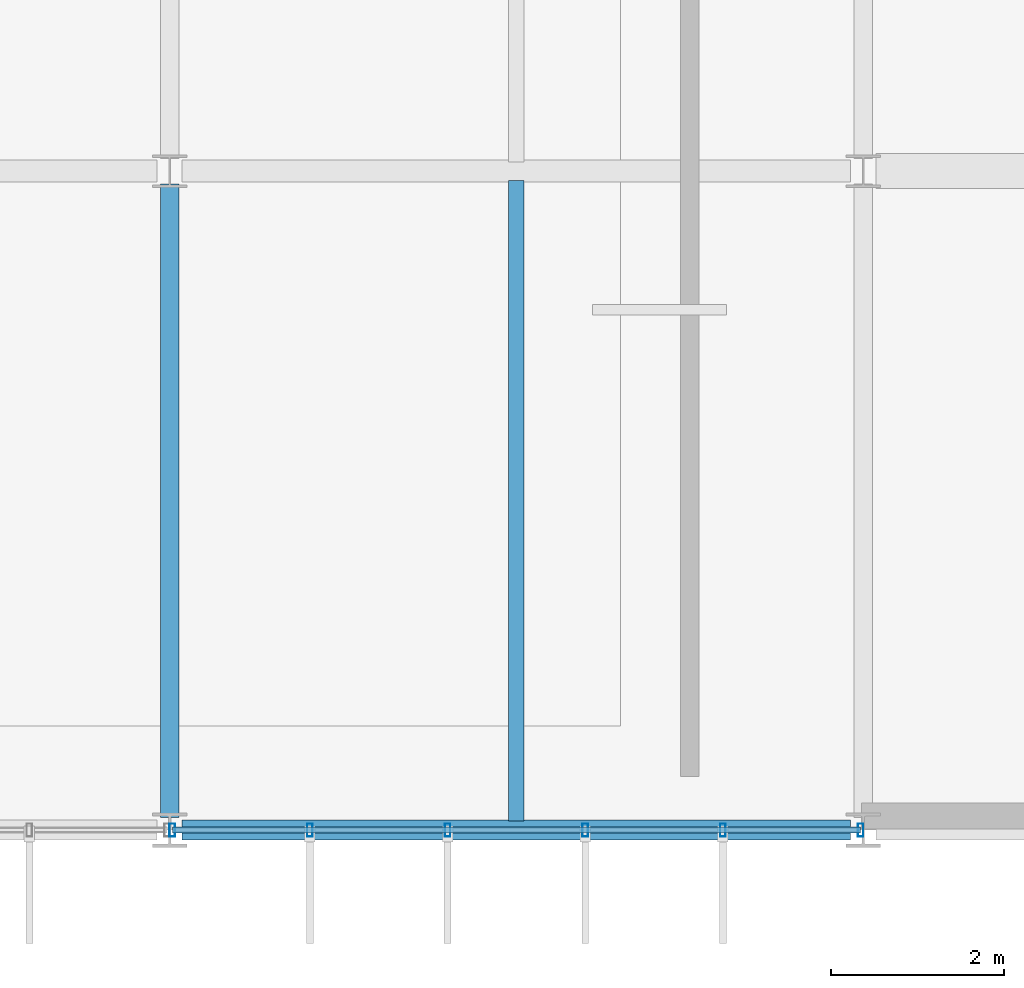
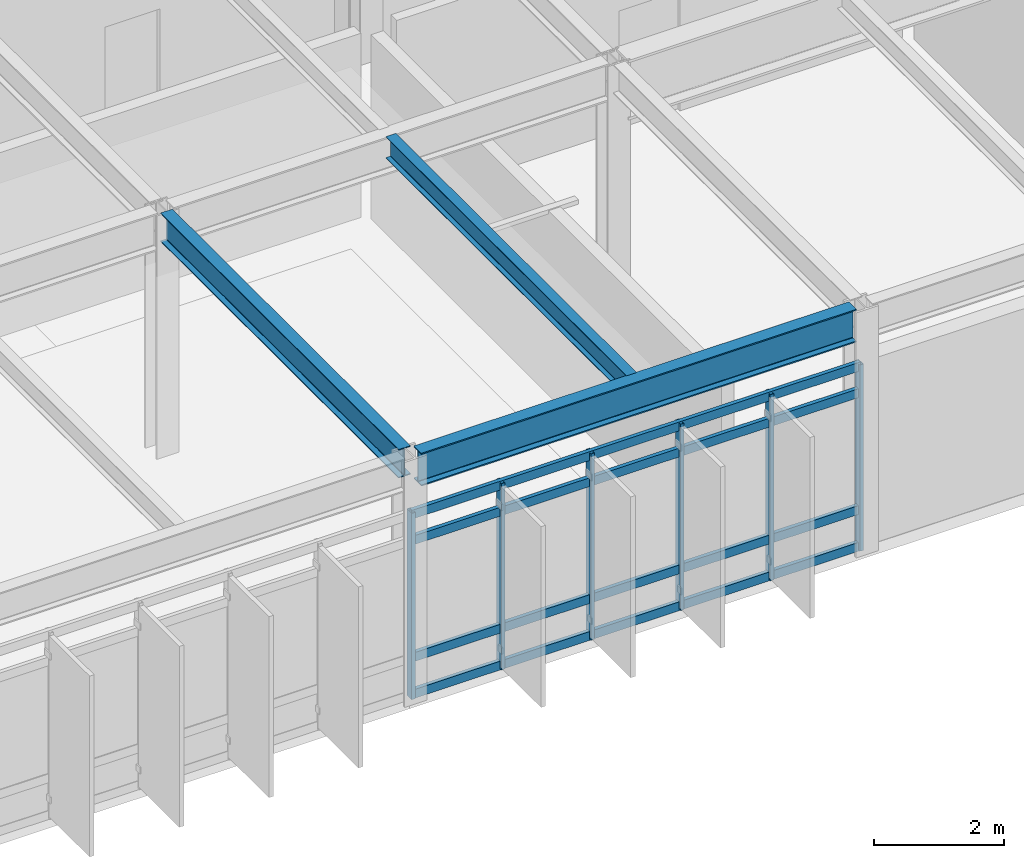
# One storey, part 29 of 104: 10 members, 3 beams, 1 element without a shape of its own.
"""IFC4 building model written with IfcOpenShell, lengths in metres."""

import ifcopenshell
import ifcopenshell.guid

model = None  # the IFC model being written
_history = None  # IfcOwnerHistory: only IFC2X3 demands one
_inside = {}  # id of a spatial element -> (the spatial element, [elements in it])
_under = {}  # id of a project, library or spatial element -> (it, [spatial elements below it])
_declared = {}  # id of a project -> (the project, [libraries it declares])
_typed = {}  # id of a type object -> (the type object, [elements of that type])
_made_of = {}  # id of a material, layer set ... -> (it, [elements and type objects made of it])


def new_model(schema):
    """Start an empty IFC model of exactly this schema.

    Asked for "IFC4X3", IfcOpenShell would pick the latest addendum, in which some entities
    have other attributes; the version numbers below select the first issue.
    IFC2X3 requires an IfcOwnerHistory on every rooted entity: one is made here for all.
    """
    global model, _history
    if schema == "IFC4X3":
        model = ifcopenshell.file(schema_version=(4, 3, 0, 0))
    else:
        model = ifcopenshell.file(schema=schema)
    _inside.clear()
    _under.clear()
    _declared.clear()
    _typed.clear()
    _made_of.clear()
    _history = None
    if model.schema == "IFC2X3":
        org = make("IfcOrganization", Name="unknown")
        user = make(
            "IfcPersonAndOrganization",
            ThePerson=make("IfcPerson", FamilyName="unknown"),
            TheOrganization=org,
        )
        app = make(
            "IfcApplication",
            ApplicationDeveloper=org,
            Version="unknown",
            ApplicationFullName="unknown",
            ApplicationIdentifier="unknown",
        )
        _history = make(
            "IfcOwnerHistory",
            OwningUser=user,
            OwningApplication=app,
            ChangeAction="ADDED",
            CreationDate=0,
        )
    return model


def make(cls, **values):
    """One entity of the class cls with the attributes given. An attribute that is None is left unset."""
    return model.create_entity(
        cls, **{name: value for name, value in values.items() if value is not None}
    )


def rooted(cls, **values):
    """An entity with a GlobalId (a new one), such as an element, a storey or a relation."""
    return make(cls, GlobalId=ifcopenshell.guid.new(), OwnerHistory=_history, **values)


def si_unit(unit_type, name, prefix=None):
    """IfcSIUnit, for example si_unit("LENGTHUNIT", "METRE", prefix="MILLI")."""
    return make("IfcSIUnit", UnitType=unit_type, Prefix=prefix, Name=name)


def assignment(units):
    """IfcUnitAssignment: the units of a project."""
    return None if units is None else make("IfcUnitAssignment", Units=units)


def point(xyz):
    """IfcCartesianPoint."""
    return None if xyz is None else make("IfcCartesianPoint", Coordinates=xyz)


def direction(xyz):
    """IfcDirection."""
    return None if xyz is None else make("IfcDirection", DirectionRatios=xyz)


def frame(location, z_axis=None, x_axis=None):
    """IfcAxis2Placement3D, a coordinate frame: its origin and axes. An axis left out is left unset."""
    return make(
        "IfcAxis2Placement3D",
        Location=point(location),
        Axis=direction(z_axis),
        RefDirection=direction(x_axis),
    )


def frame_2d(location, x_axis=None):
    """IfcAxis2Placement2D, a coordinate frame in the plane: its origin and x axis."""
    return make(
        "IfcAxis2Placement2D", Location=point(location), RefDirection=direction(x_axis)
    )


def origin():
    """The frame at (0, 0, 0) with its axes left unset."""
    return frame((0.0, 0.0, 0.0))


def origin_2d():
    """The frame at (0, 0) in the plane with its x axis left unset."""
    return frame_2d((0.0, 0.0))


def place(relative_to, where):
    """IfcLocalPlacement: puts the frame where relative to a parent placement (None: the world)."""
    return make(
        "IfcLocalPlacement", PlacementRelTo=relative_to, RelativePlacement=where
    )


def context(
    kind, dimensions, precision=None, world=None, true_north=None, identifier=None
):
    """IfcGeometricRepresentationContext, for example the 3D "Model" context."""
    return make(
        "IfcGeometricRepresentationContext",
        ContextIdentifier=identifier,
        ContextType=kind,
        CoordinateSpaceDimension=dimensions,
        Precision=precision,
        WorldCoordinateSystem=world,
        TrueNorth=true_north,
    )


def subcontext(parent, identifier, kind, view, scale=None):
    """IfcGeometricRepresentationSubContext, for example "Body" below "Model"."""
    return make(
        "IfcGeometricRepresentationSubContext",
        ContextIdentifier=identifier,
        ContextType=kind,
        ParentContext=parent,
        TargetScale=scale,
        TargetView=view,
    )


def project(units=None, contexts=None):
    """IfcProject with its units and contexts."""
    return rooted(
        "IfcProject",
        Name="project",
        RepresentationContexts=contexts,
        UnitsInContext=assignment(units),
    )


def spatial(cls, under=None, at=None, **own):
    """A site, building, storey or space (cls), placed at a placement, below another one or the project."""
    s = rooted(cls, ObjectPlacement=at, **own)
    if under is not None:
        _under.setdefault(under.id(), (under, []))[1].append(s)
    return s


def profile(cls, at=None, kind="AREA", **sizes):
    """A parametric profile (cls). Its sizes go by their IFC names, for example OverallWidth=200.0."""
    return make(cls, ProfileType=kind, Position=at, **sizes)


def hollow_rectangle(**sizes):
    """IfcRectangleHollowProfileDef."""
    return profile("IfcRectangleHollowProfileDef", **sizes)


def i_section(**sizes):
    """IfcIShapeProfileDef."""
    return profile("IfcIShapeProfileDef", **sizes)


def extrude(swept, where, along, depth):
    """IfcExtrudedAreaSolid: the profile swept, set in the frame where, extruded along a direction by depth."""
    return make(
        "IfcExtrudedAreaSolid",
        SweptArea=swept,
        Position=where,
        ExtrudedDirection=direction(along),
        Depth=depth,
    )


def shape(context_of_items, identifier, shape_type, items):
    """IfcShapeRepresentation: the items that make up one representation, for example the "Body"."""
    return make(
        "IfcShapeRepresentation",
        ContextOfItems=context_of_items,
        RepresentationIdentifier=identifier,
        RepresentationType=shape_type,
        Items=items,
    )


def material(Name=None, Category=None):
    """IfcMaterial."""
    return make("IfcMaterial", Name=Name, Category=Category)


def material_profile(
    of_material, cross_section, Name=None, Category=None, Priority=None
):
    """IfcMaterialProfile: a cross section and its material."""
    return make(
        "IfcMaterialProfile",
        Name=Name,
        Material=of_material,
        Profile=cross_section,
        Priority=Priority,
        Category=Category,
    )


def profile_set(profiles, Name=None, composite=None):
    """IfcMaterialProfileSet."""
    return make(
        "IfcMaterialProfileSet",
        Name=Name,
        MaterialProfiles=profiles,
        CompositeProfile=composite,
    )


def made_of(thing, what):
    """Note that an element or type object is made of a material, layer set ...; save() writes the relation."""
    if what is not None:
        _made_of.setdefault(what.id(), (what, []))[1].append(thing)
    return thing


def type_object(cls, material=None, **own):
    """A type object (cls), such as IfcWallType, which elements share."""
    return made_of(rooted(cls, **own), material)


def element(
    cls,
    number,
    at=None,
    inside=None,
    cuts=None,
    type_object=None,
    material=None,
    context=None,
    identifier="Body",
    shape_type=None,
    held_by="IfcProductDefinitionShape",
    body=None,
    shapes=None,
    **own,
):
    """One element of the class cls, such as IfcWall. Its Tag is "e" and its number.

    at: its placement. inside: the storey or other place that contains it. cuts: it is an
    opening in that element (IfcRelVoidsElement). A single representation is given by context,
    identifier, shape_type and body (its items); several are given by shapes. held_by: the class
    of the entity that holds the representations. save() writes the other relations.
    """
    e = rooted(cls, Tag="e%d" % number, ObjectPlacement=at, **own)
    if body is not None:
        shapes = [shape(context, identifier, shape_type, body)]
    if shapes is not None:
        e.Representation = make(held_by, Representations=shapes)
    if inside is not None:
        _inside.setdefault(inside.id(), (inside, []))[1].append(e)
    if cuts is not None:
        rooted(
            "IfcRelVoidsElement", RelatingBuildingElement=cuts, RelatedOpeningElement=e
        )
    if type_object is not None:
        _typed.setdefault(type_object.id(), (type_object, []))[1].append(e)
    return made_of(e, material)


def aggregate(whole, parts):
    """IfcRelAggregates: a whole, such as a stair, and the parts it consists of."""
    return rooted("IfcRelAggregates", RelatingObject=whole, RelatedObjects=parts)


def save(model, path):
    """Write the relations noted so far, then the file.

    IfcRelAggregates (storeys below a building ...), IfcRelContainedInSpatialStructure (elements
    in a storey), IfcRelDefinesByType, IfcRelAssociatesMaterial and IfcRelDeclares: one each for
    every whole, place, type object, material and project.
    """
    for whole, parts in _under.values():
        aggregate(whole, parts)
    for where, things in _inside.values():
        rooted(
            "IfcRelContainedInSpatialStructure",
            RelatedElements=things,
            RelatingStructure=where,
        )
    for kind, things in _typed.values():
        rooted("IfcRelDefinesByType", RelatedObjects=things, RelatingType=kind)
    for what, things in _made_of.values():
        rooted("IfcRelAssociatesMaterial", RelatedObjects=things, RelatingMaterial=what)
    for by, libraries in _declared.values():
        rooted("IfcRelDeclares", RelatingContext=by, RelatedDefinitions=libraries)
    model.write(path)


model = new_model("IFC4")

# Units and contexts
model_context = context("Model", 3, precision=1e-05, world=origin(), true_north=direction((0.0, 1.0)))
body_context = subcontext(model_context, "Body", "Model", "MODEL_VIEW")
ifc_project = project(units=[si_unit("LENGTHUNIT", "METRE"), si_unit("AREAUNIT", "SQUARE_METRE"), si_unit("VOLUMEUNIT", "CUBIC_METRE"), si_unit("PLANEANGLEUNIT", "RADIAN"), si_unit("MASSUNIT", "GRAM", prefix="KILO")], contexts=[model_context])

# Site, building, storey
site_placement = place(None, origin())
site = spatial("IfcSite", under=ifc_project, at=site_placement, CompositionType="ELEMENT")
building_placement = place(site_placement, origin())
building = spatial("IfcBuilding", under=site, at=building_placement, Name="Zulena Civic Courthouse", CompositionType="ELEMENT")
storey_placement = place(building_placement, frame((0.0, 0.0, 10.800048828125)))
storey = spatial("IfcBuildingStorey", under=building, at=storey_placement, Name="L02", CompositionType="ELEMENT", Elevation=10.800048828125)

# Curtain wall, members
ifc_material_1 = material(Name="Double-silver low-E laminated solar-control glass", Category="glass")
curtain_wall_type = type_object("IfcCurtainWallType", Name="CW_7940x3490", PredefinedType="USERDEFINED", material=ifc_material_1)
curtain_wall_placement = place(storey_placement, origin())
curtain_wall = element("IfcCurtainWall", 1, at=curtain_wall_placement, inside=storey, type_object=curtain_wall_type, Name="cw:V2:L02:5:1", ObjectType="UNITISED CURTAIN WALL", PredefinedType="USERDEFINED")
ifc_material_2 = material(Name="Bronze anodised thermally broken aluminium AA6063-T6", Category="aluminium")
ifc_material_profile_1 = material_profile(ifc_material_2, hollow_rectangle(XDim=0.06494140625, YDim=0.14990234375, WallThickness=0.00390625, at=origin_2d()), Name="CWM150X65X4")
ifc_profile_set_1 = profile_set([ifc_material_profile_1], Name="Bronze anodised thermally broken aluminium AA6063-T6")
member_type_1 = type_object("IfcMemberType", Name="CWMullion_150x65", PredefinedType="MULLION", material=ifc_profile_set_1)
member_1_placement = place(storey_placement, frame((43.969970703125, 0.0, 0.0), z_axis=(0.0, 0.0, 1.0), x_axis=(1.0, 0.0, 0.0)))
member_1 = element("IfcMember", 2, at=member_1_placement, type_object=member_type_1, Name="cw:V2:L02:5:1:mull:0", PredefinedType="MULLION", context=body_context, shape_type="SweptSolid", body=[
    extrude(hollow_rectangle(XDim=0.06494140625, YDim=0.14990234375, WallThickness=0.00390625, at=origin_2d()), origin(), (0.0, 0.0, 1.0), 3.489990234375),
])
member_2_placement = place(storey_placement, frame((42.382080078125, 0.0, 0.0), z_axis=(0.0, 0.0, 1.0), x_axis=(1.0, 0.0, 0.0)))
member_2 = element("IfcMember", 3, at=member_2_placement, type_object=member_type_1, Name="cw:V2:L02:5:1:mull:1", PredefinedType="MULLION", context=body_context, shape_type="SweptSolid", body=[
    extrude(hollow_rectangle(XDim=0.06494140625, YDim=0.14990234375, WallThickness=0.00390625, at=origin_2d()), origin(), (0.0, 0.0, 1.0), 3.489990234375),
])
member_3_placement = place(storey_placement, frame((40.7939453125, 0.0, 0.0), z_axis=(0.0, 0.0, 1.0), x_axis=(1.0, 0.0, 0.0)))
member_3 = element("IfcMember", 4, at=member_3_placement, type_object=member_type_1, Name="cw:V2:L02:5:1:mull:2", PredefinedType="MULLION", context=body_context, shape_type="SweptSolid", body=[
    extrude(hollow_rectangle(XDim=0.06494140625, YDim=0.14990234375, WallThickness=0.00390625, at=origin_2d()), origin(), (0.0, 0.0, 1.0), 3.489990234375),
])
member_4_placement = place(storey_placement, frame((39.2060546875, 0.0, 0.0), z_axis=(0.0, 0.0, 1.0), x_axis=(1.0, 0.0, 0.0)))
member_4 = element("IfcMember", 5, at=member_4_placement, type_object=member_type_1, Name="cw:V2:L02:5:1:mull:3", PredefinedType="MULLION", context=body_context, shape_type="SweptSolid", body=[
    extrude(hollow_rectangle(XDim=0.06494140625, YDim=0.14990234375, WallThickness=0.00390625, at=origin_2d()), origin(), (0.0, 0.0, 1.0), 3.489990234375),
])
member_5_placement = place(storey_placement, frame((37.617919921875, 0.0, 0.0), z_axis=(0.0, 0.0, 1.0), x_axis=(1.0, 0.0, 0.0)))
member_5 = element("IfcMember", 6, at=member_5_placement, type_object=member_type_1, Name="cw:V2:L02:5:1:mull:4", PredefinedType="MULLION", context=body_context, shape_type="SweptSolid", body=[
    extrude(hollow_rectangle(XDim=0.06494140625, YDim=0.14990234375, WallThickness=0.00390625, at=origin_2d()), origin(), (0.0, 0.0, 1.0), 3.489990234375),
])
member_6_placement = place(storey_placement, frame((36.030029296875, 0.0, 0.0), z_axis=(0.0, 0.0, 1.0), x_axis=(1.0, 0.0, 0.0)))
member_6 = element("IfcMember", 7, at=member_6_placement, type_object=member_type_1, Name="cw:V2:L02:5:1:mull:5", PredefinedType="MULLION", context=body_context, shape_type="SweptSolid", body=[
    extrude(hollow_rectangle(XDim=0.06494140625, YDim=0.14990234375, WallThickness=0.00390625, at=origin_2d()), origin(), (0.0, 0.0, 1.0), 3.489990234375),
])
ifc_material_profile_2 = material_profile(ifc_material_2, hollow_rectangle(XDim=0.070068359375, YDim=0.1650390625, WallThickness=0.00390625, at=origin_2d()), Name="CWT165X70X4")
ifc_profile_set_2 = profile_set([ifc_material_profile_2], Name="Bronze anodised thermally broken aluminium AA6063-T6")
member_type_2 = type_object("IfcMemberType", Name="CWTransom_165x70", PredefinedType="USERDEFINED", material=ifc_profile_set_2)
member_7_placement = place(storey_placement, frame((43.969970703125, 0.0, 0.06005859375), z_axis=(-1.0, 0.0, 0.0), x_axis=(0.0, -1.0, 0.0)))
member_7 = element("IfcMember", 8, at=member_7_placement, type_object=member_type_2, Name="cw:V2:L02:5:1:tran:0", ObjectType="TRANSOM", PredefinedType="USERDEFINED", context=body_context, shape_type="SweptSolid", body=[
    extrude(hollow_rectangle(XDim=0.070068359375, YDim=0.1650390625, WallThickness=0.00390625, at=origin_2d()), origin(), (0.0, 0.0, 1.0), 7.93994140625),
])
member_8_placement = place(storey_placement, frame((43.969970703125, 0.0, 0.75), z_axis=(-1.0, 0.0, 0.0), x_axis=(0.0, -1.0, 0.0)))
member_8 = element("IfcMember", 9, at=member_8_placement, type_object=member_type_2, Name="cw:V2:L02:5:1:tran:1", ObjectType="TRANSOM", PredefinedType="USERDEFINED", context=body_context, shape_type="SweptSolid", body=[
    extrude(hollow_rectangle(XDim=0.070068359375, YDim=0.1650390625, WallThickness=0.00390625, at=origin_2d()), origin(), (0.0, 0.0, 1.0), 7.93994140625),
])
member_9_placement = place(storey_placement, frame((43.969970703125, 0.0, 2.93994140625), z_axis=(-1.0, 0.0, 0.0), x_axis=(0.0, -1.0, 0.0)))
member_9 = element("IfcMember", 10, at=member_9_placement, type_object=member_type_2, Name="cw:V2:L02:5:1:tran:2", ObjectType="TRANSOM", PredefinedType="USERDEFINED", context=body_context, shape_type="SweptSolid", body=[
    extrude(hollow_rectangle(XDim=0.070068359375, YDim=0.1650390625, WallThickness=0.00390625, at=origin_2d()), origin(), (0.0, 0.0, 1.0), 7.93994140625),
])
member_10_placement = place(storey_placement, frame((43.969970703125, 0.0, 3.429931640625), z_axis=(-1.0, 0.0, 0.0), x_axis=(0.0, -1.0, 0.0)))
member_10 = element("IfcMember", 11, at=member_10_placement, type_object=member_type_2, Name="cw:V2:L02:5:1:tran:3", ObjectType="TRANSOM", PredefinedType="USERDEFINED", context=body_context, shape_type="SweptSolid", body=[
    extrude(hollow_rectangle(XDim=0.070068359375, YDim=0.1650390625, WallThickness=0.00390625, at=origin_2d()), origin(), (0.0, 0.0, 1.0), 7.93994140625),
])
aggregate(curtain_wall, [member_1, member_2, member_3, member_4, member_5, member_6, member_7, member_8, member_9, member_10])

# Beams
ifc_material_3 = material(Name="Steel ASTM A992 Grade 50", Category="steel")
ifc_material_profile_3 = material_profile(ifc_material_3, i_section(OverallWidth=0.177978515625, OverallDepth=0.406005859375, WebThickness=0.0078125, FlangeThickness=0.0126953125, FilletRadius=0.01025390625, at=origin_2d()), Name="W16X40")
ifc_profile_set_3 = profile_set([ifc_material_profile_3], Name="Steel ASTM A992 Grade 50")
beam_type_1 = type_object("IfcBeamType", Name="Joist_W16X40", PredefinedType="JOIST", material=ifc_profile_set_3)
beam_1_placement = place(storey_placement, frame((40.0, 0.10498046875, 4.386962890625), z_axis=(0.0, 1.0, 0.0), x_axis=(-1.0, 0.0, 0.0)))
element("IfcBeam", 12, at=beam_1_placement, inside=storey, type_object=beam_type_1, Name="joist:V2:L02:40.00:0.0_7.6", PredefinedType="JOIST", context=body_context, shape_type="SweptSolid", body=[
    extrude(i_section(OverallWidth=0.177978515625, OverallDepth=0.406005859375, WebThickness=0.0078125, FlangeThickness=0.0126953125, FilletRadius=0.01025390625, at=origin_2d()), origin(), (0.0, 0.0, 1.0), 7.39013671875),
])
ifc_material_profile_4 = material_profile(ifc_material_3, i_section(OverallWidth=0.2099609375, OverallDepth=0.537109375, WebThickness=0.010986328125, FlangeThickness=0.017333984375, FilletRadius=0.0126953125, at=origin_2d()), Name="W21X68")
ifc_profile_set_4 = profile_set([ifc_material_profile_4], Name="Steel ASTM A992 Grade 50")
beam_type_2 = type_object("IfcBeamType", Name="Spandrel_W21X68", PredefinedType="SPANDREL", material=ifc_profile_set_4)
beam_2_placement = place(storey_placement, frame((36.0, 0.14501953125, 4.321533203125), z_axis=(0.0, 1.0, 0.0), x_axis=(-1.0, 0.0, 0.0)))
element("IfcBeam", 13, at=beam_2_placement, inside=storey, type_object=beam_type_2, Name="beam:Y:V2:L02:36.0:0.0_7.6", PredefinedType="SPANDREL", context=body_context, shape_type="SweptSolid", body=[
    extrude(i_section(OverallWidth=0.2099609375, OverallDepth=0.537109375, WebThickness=0.010986328125, FlangeThickness=0.017333984375, FilletRadius=0.0126953125, at=origin_2d()), origin(), (0.0, 0.0, 1.0), 7.31005859375),
])
ifc_material_profile_5 = material_profile(ifc_material_3, i_section(OverallWidth=0.22998046875, OverallDepth=0.616943359375, WebThickness=0.01318359375, FlangeThickness=0.022216796875, FilletRadius=0.0126953125, at=origin_2d()), Name="W24X94")
ifc_profile_set_5 = profile_set([ifc_material_profile_5], Name="Steel ASTM A992 Grade 50")
beam_type_3 = type_object("IfcBeamType", Name="Spandrel_W24X94", PredefinedType="SPANDREL", material=ifc_profile_set_5)
beam_3_placement = place(storey_placement, frame((36.14501953125, 0.0, 4.281494140625), z_axis=(1.0, 0.0, 0.0), x_axis=(0.0, 1.0, 0.0)))
element("IfcBeam", 14, at=beam_3_placement, inside=storey, type_object=beam_type_3, Name="beam:X:V2:L02:0.0:36.0_44.0", PredefinedType="SPANDREL", context=body_context, shape_type="SweptSolid", body=[
    extrude(i_section(OverallWidth=0.22998046875, OverallDepth=0.616943359375, WebThickness=0.01318359375, FlangeThickness=0.022216796875, FilletRadius=0.0126953125, at=origin_2d()), origin(), (0.0, 0.0, 1.0), 7.7099609375),
])

save(model, "model.ifc")
